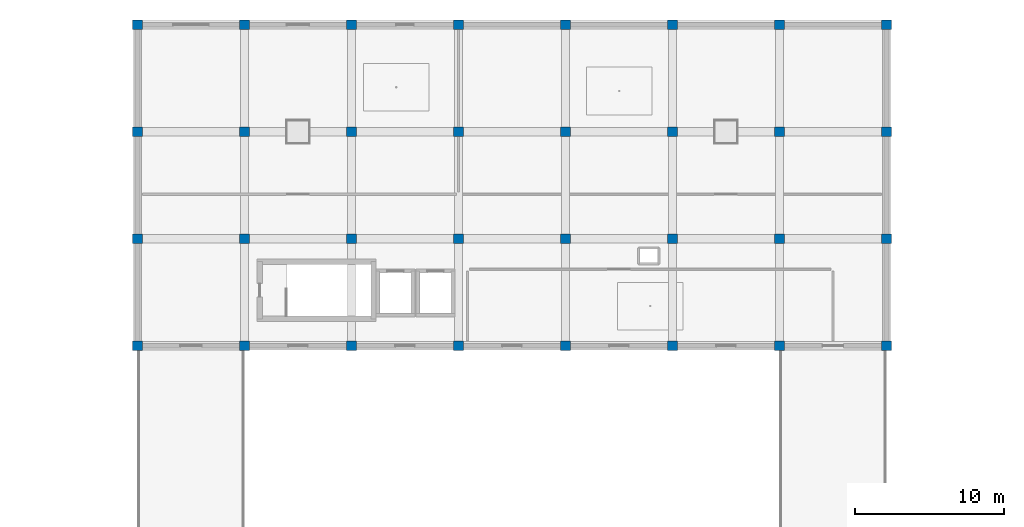
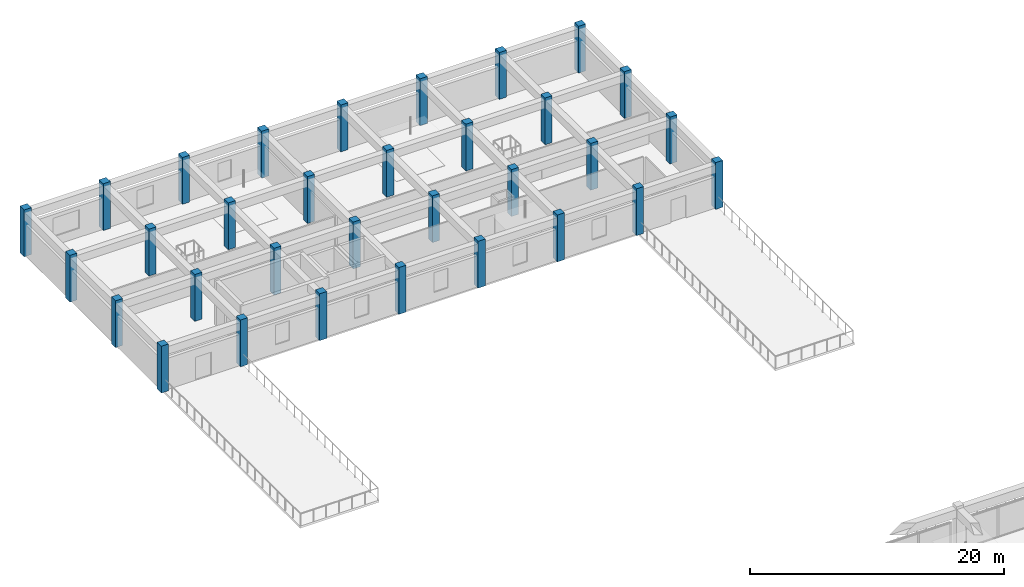
# One storey, part 3 of 56: 32 columns.
"""IFC4 building model written with IfcOpenShell, lengths in metres."""

from ifc_helpers import new_model, si_unit, direction, frame, origin, origin_2d, place, context, subcontext, project, spatial, rectangle, extrude, material, material_profile, profile_set, type_object, element, save


model = new_model("IFC4")

# Units and contexts
model_context = context("Model", 3, precision=1e-05, world=origin(), true_north=direction((0.0, 1.0)))
body_context = subcontext(model_context, "Body", "Model", "MODEL_VIEW")
ifc_project = project(units=[si_unit("LENGTHUNIT", "METRE"), si_unit("AREAUNIT", "SQUARE_METRE"), si_unit("VOLUMEUNIT", "CUBIC_METRE"), si_unit("PLANEANGLEUNIT", "RADIAN"), si_unit("MASSUNIT", "GRAM", prefix="KILO")], contexts=[model_context])

# Site, building, storey
site_placement = place(None, origin())
site = spatial("IfcSite", under=ifc_project, at=site_placement, CompositionType="ELEMENT")
building_placement = place(site_placement, origin())
building = spatial("IfcBuilding", under=site, at=building_placement, Name="Kazehaya Institute of Natural Sciences", CompositionType="ELEMENT")
storey_placement = place(building_placement, frame((0.0, 0.0, 28.800048828125)))
storey = spatial("IfcBuildingStorey", under=building, at=storey_placement, Name="L06", CompositionType="ELEMENT", Elevation=28.800048828125)

# Columns
ifc_material = material(Name="Concrete Fc36", Category="concrete")
ifc_material_profile = material_profile(ifc_material, rectangle(XDim=0.64990234375, YDim=0.64990234375, at=origin_2d()), Name="RC-650x650")
ifc_profile_set = profile_set([ifc_material_profile], Name="Concrete Fc36")
column_type = type_object("IfcColumnType", Name="COL-RC650", PredefinedType="COLUMN", material=ifc_profile_set)
for number, where, z_axis, x_axis, name in (
    (1, (61.800048828125, 86.0, 0.0), (0.0, 0.0, 1.0), (1.0, 0.0, 0.0), "L06 column COL-L06-1179"),
    (2, (69.0, 86.0, 0.0), (0.0, 0.0, 1.0), (1.0, 0.0, 0.0), "L06 column COL-L06-1180"),
    (3, (76.199951171875, 86.0, 0.0), (0.0, 0.0, 1.0), (1.0, 0.0, 0.0), "L06 column COL-L06-1181"),
    (4, (83.39990234375, 86.0, 0.0), (0.0, 0.0, 1.0), (1.0, 0.0, 0.0), "L06 column COL-L06-1182"),
    (5, (90.60009765625, 86.0, 0.0), (0.0, 0.0, 1.0), (1.0, 0.0, 0.0), "L06 column COL-L06-1183"),
    (6, (97.800048828125, 86.0, 0.0), (0.0, 0.0, 1.0), (1.0, 0.0, 0.0), "L06 column COL-L06-1184"),
    (7, (105.0, 86.0, 0.0), (0.0, 0.0, 1.0), (1.0, 0.0, 0.0), "L06 column COL-L06-1185"),
    (8, (112.199951171875, 86.0, 0.0), (0.0, 0.0, 1.0), (1.0, 0.0, 0.0), "L06 column COL-L06-1186"),
    (9, (61.800048828125, 93.199951171875, 0.0), (0.0, 0.0, 1.0), (1.0, 0.0, 0.0), "L06 column COL-L06-1187"),
    (10, (69.0, 93.199951171875, 0.0), (0.0, 0.0, 1.0), (1.0, 0.0, 0.0), "L06 column COL-L06-1188"),
    (11, (76.199951171875, 93.199951171875, 0.0), (0.0, 0.0, 1.0), (1.0, 0.0, 0.0), "L06 column COL-L06-1189"),
    (12, (83.39990234375, 93.199951171875, 0.0), (0.0, 0.0, 1.0), (1.0, 0.0, 0.0), "L06 column COL-L06-1190"),
    (13, (90.60009765625, 93.199951171875, 0.0), (0.0, 0.0, 1.0), (1.0, 0.0, 0.0), "L06 column COL-L06-1191"),
    (14, (97.800048828125, 93.199951171875, 0.0), (0.0, 0.0, 1.0), (1.0, 0.0, 0.0), "L06 column COL-L06-1192"),
    (15, (105.0, 93.199951171875, 0.0), (0.0, 0.0, 1.0), (1.0, 0.0, 0.0), "L06 column COL-L06-1193"),
    (16, (112.199951171875, 93.199951171875, 0.0), (0.0, 0.0, 1.0), (1.0, 0.0, 0.0), "L06 column COL-L06-1194"),
    (17, (61.800048828125, 100.39990234375, 0.0), (0.0, 0.0, 1.0), (1.0, 0.0, 0.0), "L06 column COL-L06-1195"),
    (18, (69.0, 100.39990234375, 0.0), (0.0, 0.0, 1.0), (1.0, 0.0, 0.0), "L06 column COL-L06-1196"),
    (19, (76.199951171875, 100.39990234375, 0.0), (0.0, 0.0, 1.0), (1.0, 0.0, 0.0), "L06 column COL-L06-1197"),
    (20, (83.39990234375, 100.39990234375, 0.0), (0.0, 0.0, 1.0), (1.0, 0.0, 0.0), "L06 column COL-L06-1198"),
    (21, (90.60009765625, 100.39990234375, 0.0), (0.0, 0.0, 1.0), (1.0, 0.0, 0.0), "L06 column COL-L06-1199"),
    (22, (97.800048828125, 100.39990234375, 0.0), (0.0, 0.0, 1.0), (1.0, 0.0, 0.0), "L06 column COL-L06-1200"),
    (23, (105.0, 100.39990234375, 0.0), (0.0, 0.0, 1.0), (1.0, 0.0, 0.0), "L06 column COL-L06-1201"),
    (24, (112.199951171875, 100.39990234375, 0.0), (0.0, 0.0, 1.0), (1.0, 0.0, 0.0), "L06 column COL-L06-1202"),
    (25, (61.800048828125, 107.60009765625, 0.0), (0.0, 0.0, 1.0), (1.0, 0.0, 0.0), "L06 column COL-L06-1203"),
    (26, (69.0, 107.60009765625, 0.0), (0.0, 0.0, 1.0), (1.0, 0.0, 0.0), "L06 column COL-L06-1204"),
    (27, (76.199951171875, 107.60009765625, 0.0), (0.0, 0.0, 1.0), (1.0, 0.0, 0.0), "L06 column COL-L06-1205"),
    (28, (83.39990234375, 107.60009765625, 0.0), (0.0, 0.0, 1.0), (1.0, 0.0, 0.0), "L06 column COL-L06-1206"),
    (29, (90.60009765625, 107.60009765625, 0.0), (0.0, 0.0, 1.0), (1.0, 0.0, 0.0), "L06 column COL-L06-1207"),
    (30, (97.800048828125, 107.60009765625, 0.0), (0.0, 0.0, 1.0), (1.0, 0.0, 0.0), "L06 column COL-L06-1208"),
    (31, (105.0, 107.60009765625, 0.0), (0.0, 0.0, 1.0), (1.0, 0.0, 0.0), "L06 column COL-L06-1209"),
    (32, (112.199951171875, 107.60009765625, 0.0), (0.0, 0.0, 1.0), (1.0, 0.0, 0.0), "L06 column COL-L06-1210"),
):
    element("IfcColumn", number, at=place(storey_placement, frame(where, z_axis=z_axis, x_axis=x_axis)), inside=storey, type_object=column_type, Name=name, PredefinedType="COLUMN", context=body_context, shape_type="SweptSolid", body=[
        extrude(rectangle(XDim=0.64990234375, YDim=0.64990234375, at=origin_2d()), origin(), (0.0, 0.0, 1.0), 4.5),
    ])

save(model, "model.ifc")
